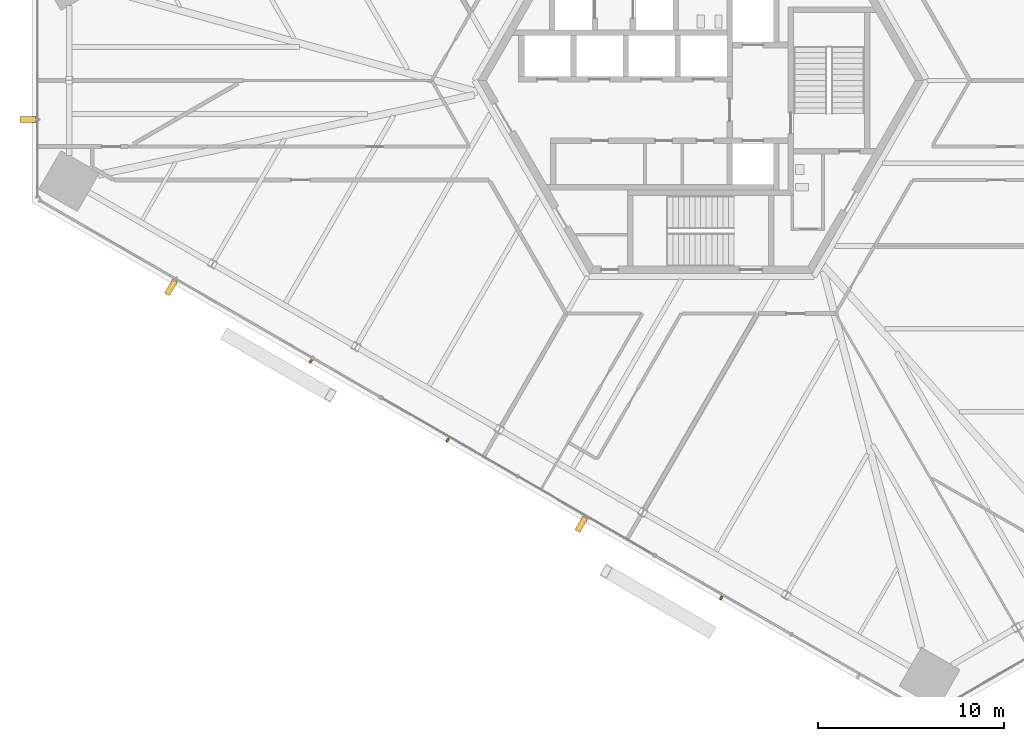
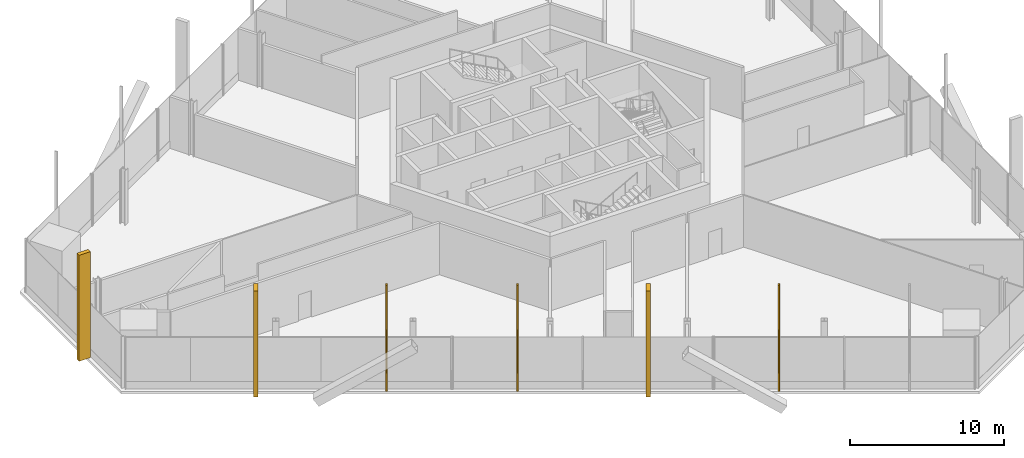
# One storey, part 15 of 19: 6 shading devices.
"""IFC4 building model written with IfcOpenShell, lengths in metres."""

from ifc_helpers import new_model, si_unit, direction, frame, origin, origin_2d, place, context, subcontext, project, spatial, rectangle, extrude, source, transform, mapped, material, element, save


model = new_model("IFC4")

# Units and contexts
model_context = context("Model", 3, precision=1e-05, world=origin(), true_north=direction((0.0, 1.0)))
body_context = subcontext(model_context, "Body", "Model", "MODEL_VIEW")
ifc_project = project(units=[si_unit("LENGTHUNIT", "METRE"), si_unit("AREAUNIT", "SQUARE_METRE"), si_unit("VOLUMEUNIT", "CUBIC_METRE"), si_unit("PLANEANGLEUNIT", "RADIAN"), si_unit("MASSUNIT", "GRAM", prefix="KILO")], contexts=[model_context])

# Site, building, storey
site_placement = place(None, origin())
site = spatial("IfcSite", under=ifc_project, at=site_placement, CompositionType="ELEMENT")
building_placement = place(site_placement, origin())
building = spatial("IfcBuilding", under=site, at=building_placement, Name="Triune Harvest Tower", CompositionType="ELEMENT")
storey_placement = place(building_placement, frame((0.0, 0.0, 24.60009765625)))
storey = spatial("IfcBuildingStorey", under=building, at=storey_placement, Name="L05", CompositionType="ELEMENT", Elevation=24.60009765625)

# Shading devices
ifc_material = material(Name="Aluminium bronze anodised", Category="aluminium")
shared_shape_1 = source(origin(), body_context, "Body", "SweptSolid", [
    extrude(rectangle(XDim=0.10009765625, YDim=0.199951171875, at=origin_2d()), origin(), (0.0, 0.0, 1.0), 8.39990234375),
])
for number, where, z_axis, x_axis, name in (
    (1, (-20.984375, -15.1025390625, 0.0), (0.0, 0.0, 1.0), (0.866025470037, -0.499999885247, 0.0), "FN-1 fin B1-F5.5 L05"),
    (2, (-13.62548828125, -19.351318359375, 0.0), (0.0, 0.0, 1.0), (0.866025470037, -0.499999885247, 0.0), "FN-1 fin B1-F5.7 L05"),
    (3, (1.092529296875, -27.8486328125, 0.0), (0.0, 0.0, 1.0), (0.866025470037, -0.499999885247, 0.0), "FN-1 fin B1-F5.11 L05"),
):
    element("IfcShadingDevice", number, at=place(storey_placement, frame(where, z_axis=z_axis, x_axis=x_axis)), inside=storey, material=ifc_material, Name=name, ObjectType="FIN", PredefinedType="USERDEFINED", context=body_context, shape_type="MappedRepresentation", body=[
        mapped(shared_shape_1, transform((0.0, 0.0, 0.0), scale=1.0)),
    ])
shared_shape_2 = source(origin(), body_context, "Body", "SweptSolid", [
    extrude(rectangle(XDim=0.300048828125, YDim=0.85009765625, at=origin_2d()), origin(), (0.0, 0.0, 1.0), 8.39990234375),
])
for number, where, z_axis, x_axis, name in (
    (4, (-36.20556640625, -2.098876953125, 0.0), (0.0, 0.0, 1.0), (0.0, -1.0, 0.0), "FN-2 fin B1-F4.3 L05"),
    (5, (-28.506103515625, -11.13525390625, 0.0), (0.0, 0.0, 1.0), (0.866025470037, -0.499999885247, 0.0), "FN-2 fin B1-F5.3 L05"),
    (6, (-6.428955078125, -23.88134765625, 0.0), (0.0, 0.0, 1.0), (0.866025470037, -0.499999885247, 0.0), "FN-2 fin B1-F5.9 L05"),
):
    element("IfcShadingDevice", number, at=place(storey_placement, frame(where, z_axis=z_axis, x_axis=x_axis)), inside=storey, material=ifc_material, Name=name, ObjectType="FIN", PredefinedType="USERDEFINED", context=body_context, shape_type="MappedRepresentation", body=[
        mapped(shared_shape_2, transform((0.0, 0.0, 0.0), scale=1.0)),
    ])

save(model, "model.ifc")
